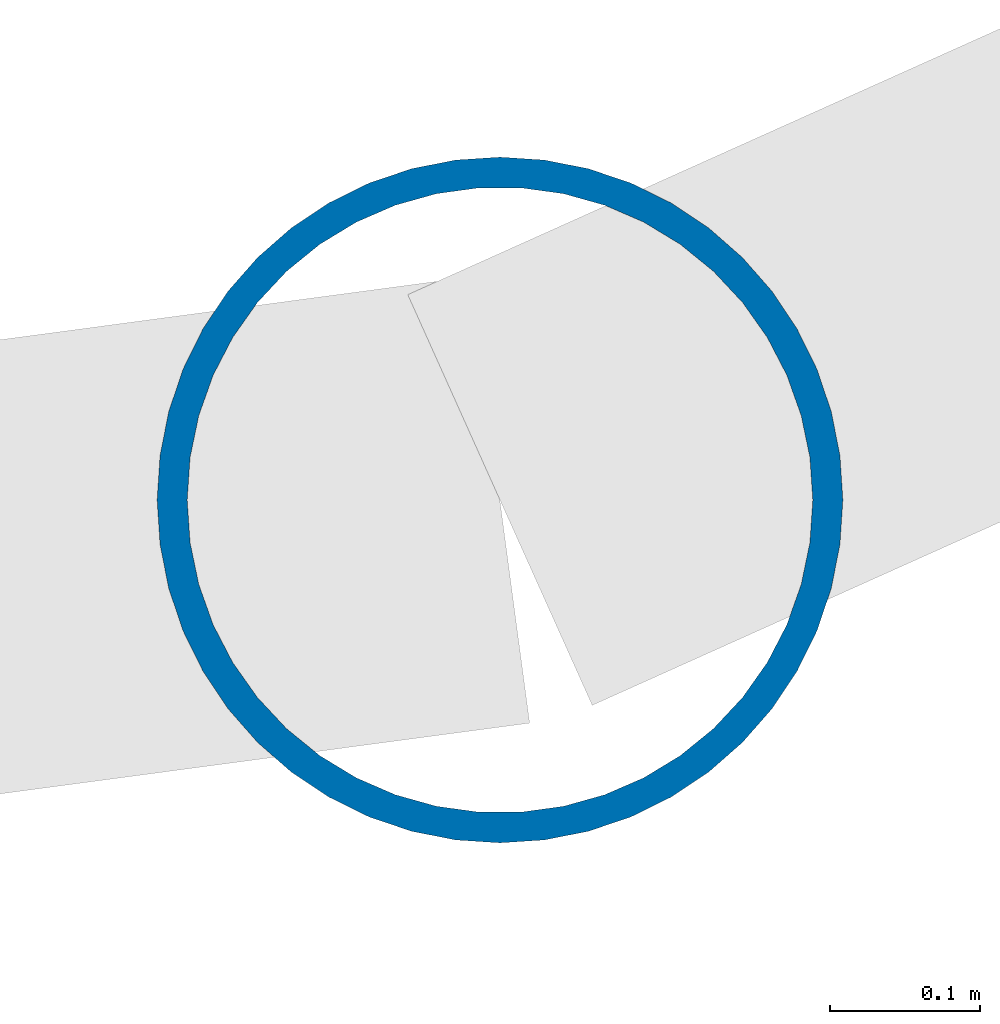
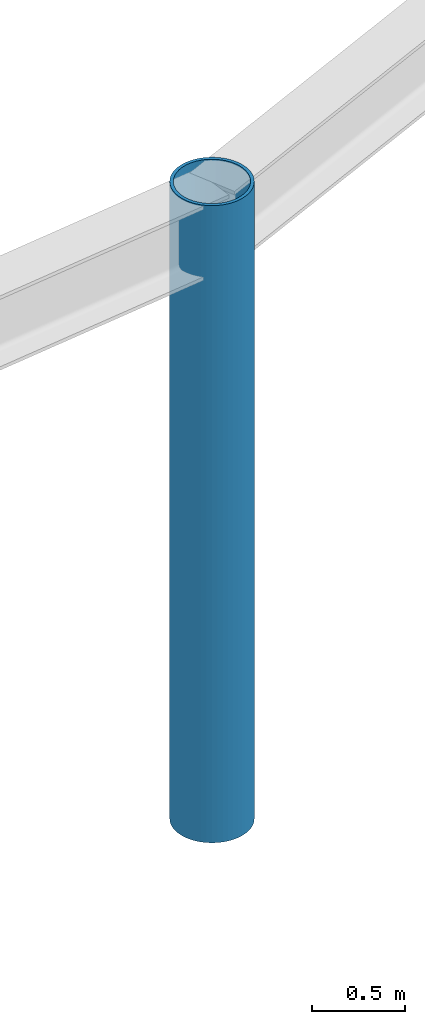
# One storey, part 2 of 73: 1 column.
"""IFC4 building model written with IfcOpenShell, lengths in metres."""

from ifc_helpers import new_model, si_unit, derived_unit, direction, frame, origin, origin_2d, place, context, subcontext, project, spatial, hollow_circle, extrude, material, material_profile, profile_set, type_object, element, save


model = new_model("IFC4")

# Units and contexts
model_context = context("Model", 3, precision=1e-05, world=origin(), true_north=direction((0.0, 1.0)))
body_context = subcontext(model_context, "Body", "Model", "MODEL_VIEW")
ifc_project = project(units=[si_unit("LENGTHUNIT", "METRE"), si_unit("AREAUNIT", "SQUARE_METRE"), si_unit("VOLUMEUNIT", "CUBIC_METRE"), si_unit("PLANEANGLEUNIT", "RADIAN"), si_unit("MASSUNIT", "GRAM", prefix="KILO"), derived_unit("THERMALTRANSMITTANCEUNIT", [(si_unit("MASSUNIT", "GRAM", prefix="KILO"), 1), (si_unit("TIMEUNIT", "SECOND"), -3), (si_unit("THERMODYNAMICTEMPERATUREUNIT", "KELVIN"), -1)])], contexts=[model_context])

# Site, building, storey
site_placement = place(None, origin())
site = spatial("IfcSite", under=ifc_project, at=site_placement, CompositionType="ELEMENT")
building_placement = place(site_placement, origin())
building = spatial("IfcBuilding", under=site, at=building_placement, Name="Kharveza Railside Sports Centre", CompositionType="ELEMENT")
storey_placement = place(building_placement, frame((0.0, 0.0, 8.699951171875)))
storey = spatial("IfcBuildingStorey", under=building, at=storey_placement, Name="L02", CompositionType="ELEMENT", Elevation=8.699951171875)

# Column
ifc_material = material(Name="Steel S355J2", Category="steel")
ifc_material_profile = material_profile(ifc_material, hollow_circle(Radius=0.228515625, WallThickness=0.02001953125, at=origin_2d()), Name="CHS 457.0x20.0")
ifc_profile_set = profile_set([ifc_material_profile], Name="Steel S355J2")
column_type = type_object("IfcColumnType", Name="COL-T01", PredefinedType="COLUMN", material=ifc_profile_set)
column_placement = place(storey_placement, frame((68.606201171875, 27.672607421875, 0.0), z_axis=(0.0, 0.0, 1.0), x_axis=(1.0, 0.0, 0.0)))
element("IfcColumn", 1, at=column_placement, inside=storey, type_object=column_type, Name="COL-DRUM-14-L02", PredefinedType="COLUMN", context=body_context, shape_type="SweptSolid", body=[
    extrude(hollow_circle(Radius=0.228515625, WallThickness=0.02001953125, at=origin_2d()), origin(), (0.0, 0.0, 1.0), 4.199951171875),
])

save(model, "model.ifc")
